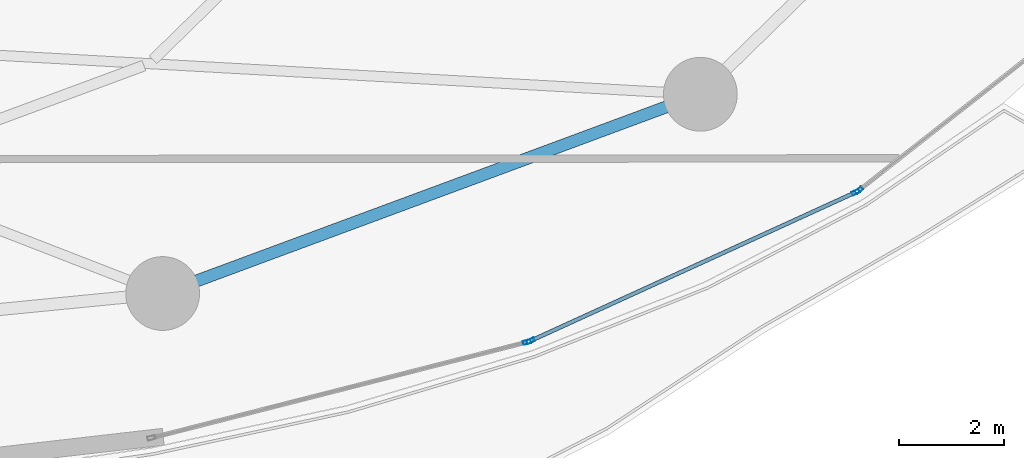
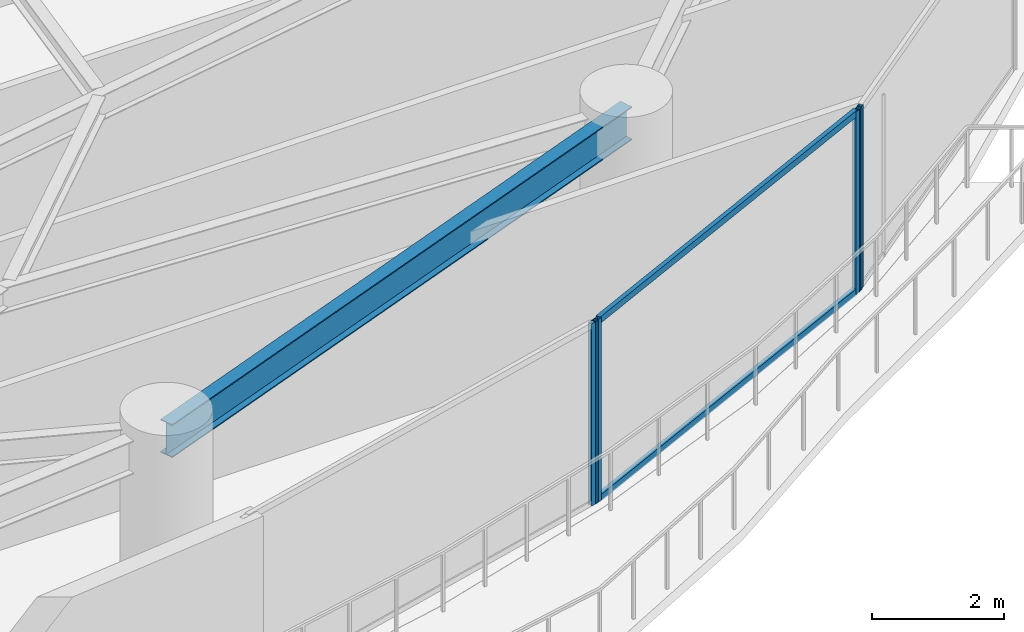
# One storey, part 13 of 31: 6 members, 1 beam, 3 elements without a shape of their own.
"""IFC4 building model written with IfcOpenShell, lengths in metres."""

from ifc_helpers import new_model, si_unit, direction, frame, origin, origin_2d, place, context, subcontext, project, spatial, hollow_rectangle, i_section, extrude, material, layer, layer_set, material_profile, profile_set, type_object, element, aggregate, save


model = new_model("IFC4")

# Units and contexts
model_context = context("Model", 3, precision=1e-05, world=origin(), true_north=direction((0.0, 1.0)))
body_context = subcontext(model_context, "Body", "Model", "MODEL_VIEW")
ifc_project = project(units=[si_unit("LENGTHUNIT", "METRE"), si_unit("AREAUNIT", "SQUARE_METRE"), si_unit("VOLUMEUNIT", "CUBIC_METRE"), si_unit("PLANEANGLEUNIT", "RADIAN"), si_unit("MASSUNIT", "GRAM", prefix="KILO")], contexts=[model_context])

# Site, building, storey
site_placement = place(None, origin())
site = spatial("IfcSite", under=ifc_project, at=site_placement, CompositionType="ELEMENT")
building_placement = place(site_placement, origin())
building = spatial("IfcBuilding", under=site, at=building_placement, Name="Kazevale Care Tower and Concert Hall", CompositionType="ELEMENT")
storey_placement = place(building_placement, frame((0.0, 0.0, 60.0)))
storey = spatial("IfcBuildingStorey", under=building, at=storey_placement, Name="L15", CompositionType="ELEMENT", Elevation=60.0)

# Curtain wall, member
ifc_material_1 = material(Name="Aluminium 6063-T6 and Low-E Glass", Category="aluminium")
ifc_layer = layer(ifc_material_1, 0.179931640625)
ifc_layer_set = layer_set([ifc_layer], Name="Aluminium 6063-T6 and Low-E Glass")
curtain_wall_type = type_object("IfcCurtainWallType", Name="Sheltered Concave Balcony Curtain Wall CW-5", PredefinedType="NOTDEFINED", material=ifc_layer_set)
curtain_wall_1_placement = place(storey_placement, origin())
curtain_wall_1 = element("IfcCurtainWall", 1, at=curtain_wall_1_placement, inside=storey, type_object=curtain_wall_type, Name="cw:L15:f02", PredefinedType="NOTDEFINED")
ifc_material_2 = material(Name="Aluminium 6063-T6", Category="aluminium")
ifc_material_profile_1 = material_profile(ifc_material_2, hollow_rectangle(XDim=0.074951171875, YDim=0.14990234375, WallThickness=0.00390625, at=origin_2d()), Name="ALU75x150x4")
ifc_profile_set_1 = profile_set([ifc_material_profile_1], Name="Aluminium 6063-T6")
member_type_1 = type_object("IfcMemberType", Name="CW-5 Mullion ALU75x150x4", PredefinedType="MULLION", material=ifc_profile_set_1)
member_1_placement = place(storey_placement, frame((70.25146484375, 20.490234375, 0.0), z_axis=(0.0, 0.0, 1.0), x_axis=(0.617807548814, -0.78632934107, 0.0)))
member_1 = element("IfcMember", 2, at=member_1_placement, type_object=member_type_1, Name="CW-5 mullion 2", PredefinedType="MULLION", context=body_context, shape_type="SweptSolid", body=[
    extrude(hollow_rectangle(XDim=0.074951171875, YDim=0.14990234375, WallThickness=0.00390625, at=origin_2d()), origin(), (0.0, 0.0, 1.0), 3.360107421875),
])
aggregate(curtain_wall_1, [member_1])

# Curtain wall, members
curtain_wall_2_placement = place(storey_placement, origin())
curtain_wall_2 = element("IfcCurtainWall", 3, at=curtain_wall_2_placement, inside=storey, type_object=curtain_wall_type, Name="cw:L15:f03", PredefinedType="NOTDEFINED")
member_2_placement = place(storey_placement, frame((70.18798828125, 20.451416015625, 0.0), z_axis=(0.0, 0.0, 1.0), x_axis=(0.415659767773, -0.909520179795, 0.0)))
member_2 = element("IfcMember", 4, at=member_2_placement, type_object=member_type_1, Name="CW-5 mullion 1", PredefinedType="MULLION", context=body_context, shape_type="SweptSolid", body=[
    extrude(hollow_rectangle(XDim=0.074951171875, YDim=0.14990234375, WallThickness=0.00390625, at=origin_2d()), origin(), (0.0, 0.0, 1.0), 3.360107421875),
])
member_3_placement = place(storey_placement, frame((64.022216796875, 17.633544921875, 0.0), z_axis=(0.0, 0.0, 1.0), x_axis=(0.415659767773, -0.909520179795, 0.0)))
member_3 = element("IfcMember", 5, at=member_3_placement, type_object=member_type_1, Name="CW-5 mullion 2", PredefinedType="MULLION", context=body_context, shape_type="SweptSolid", body=[
    extrude(hollow_rectangle(XDim=0.074951171875, YDim=0.14990234375, WallThickness=0.00390625, at=origin_2d()), origin(), (0.0, 0.0, 1.0), 3.360107421875),
])

# Curtain wall, member
curtain_wall_3_placement = place(storey_placement, origin())
curtain_wall_3 = element("IfcCurtainWall", 6, at=curtain_wall_3_placement, inside=storey, type_object=curtain_wall_type, Name="cw:L15:f04", PredefinedType="NOTDEFINED")
member_4_placement = place(storey_placement, frame((63.95166015625, 17.608642578125, 0.0), z_axis=(0.0, 0.0, 1.0), x_axis=(0.247221864936, -0.968958899798, 0.0)))
member_4 = element("IfcMember", 7, at=member_4_placement, type_object=member_type_1, Name="CW-5 mullion 1", PredefinedType="MULLION", context=body_context, shape_type="SweptSolid", body=[
    extrude(hollow_rectangle(XDim=0.074951171875, YDim=0.14990234375, WallThickness=0.00390625, at=origin_2d()), origin(), (0.0, 0.0, 1.0), 3.360107421875),
])
aggregate(curtain_wall_3, [member_4])

# Member
ifc_material_profile_2 = material_profile(ifc_material_2, hollow_rectangle(XDim=0.074951171875, YDim=0.1201171875, WallThickness=0.00390625, at=origin_2d()), Name="ALU75x120x4")
ifc_profile_set_2 = profile_set([ifc_material_profile_2], Name="Aluminium 6063-T6")
member_type_2 = type_object("IfcMemberType", Name="CW-5 Transom ALU75x120x4", PredefinedType="USERDEFINED", material=ifc_profile_set_2)
member_5_placement = place(storey_placement, frame((70.15380859375, 20.435791015625, 0.03759765625), z_axis=(-0.909524040017, -0.415651320978, 0.0), x_axis=(0.415651320978, -0.909524040017, 0.0)))
member_5 = element("IfcMember", 8, at=member_5_placement, type_object=member_type_2, Name="CW-5 transom 1.1", ObjectType="TRANSOM", PredefinedType="USERDEFINED", context=body_context, shape_type="SweptSolid", body=[
    extrude(hollow_rectangle(XDim=0.074951171875, YDim=0.1201171875, WallThickness=0.00390625, at=origin_2d()), origin(), (0.0, 0.0, 1.0), 6.704345703125),
])

member_6_placement = place(storey_placement, frame((70.15380859375, 20.435791015625, 3.322509765625), z_axis=(-0.909524040017, -0.415651320978, 0.0), x_axis=(0.415651320978, -0.909524040017, 0.0)))
member_6 = element("IfcMember", 9, at=member_6_placement, type_object=member_type_2, Name="CW-5 transom 1.2", ObjectType="TRANSOM", PredefinedType="USERDEFINED", context=body_context, shape_type="SweptSolid", body=[
    extrude(hollow_rectangle(XDim=0.074951171875, YDim=0.1201171875, WallThickness=0.00390625, at=origin_2d()), origin(), (0.0, 0.0, 1.0), 6.704345703125),
])

aggregate(curtain_wall_2, [member_2, member_3, member_5, member_6])

# Beam
ifc_material_3 = material(Name="Steel ASTM A572 Gr 50", Category="steel")
ifc_material_profile_3 = material_profile(ifc_material_3, i_section(OverallWidth=0.22900390625, OverallDepth=0.612060546875, WebThickness=0.011962890625, FlangeThickness=0.01953125, at=origin_2d()), Name="W610x125")
ifc_profile_set_3 = profile_set([ifc_material_profile_3], Name="Steel ASTM A572 Gr 50")
beam_type = type_object("IfcBeamType", Name="Ring Spandrel Beam W610x125", PredefinedType="SPANDREL", material=ifc_profile_set_3)
beam_placement = place(storey_placement, frame((57.0400390625, 18.530029296875, 3.053955078125), z_axis=(0.937680788596, 0.347497825458, 0.0), x_axis=(-0.347497825458, 0.937680788596, 0.0)))
element("IfcBeam", 10, at=beam_placement, inside=storey, type_object=beam_type, Name="beam:L15:ring:14", PredefinedType="SPANDREL", context=body_context, shape_type="SweptSolid", body=[
    extrude(i_section(OverallWidth=0.22900390625, OverallDepth=0.612060546875, WebThickness=0.011962890625, FlangeThickness=0.01953125, at=origin_2d()), origin(), (0.0, 0.0, 1.0), 10.8779296875),
])

save(model, "model.ifc")
